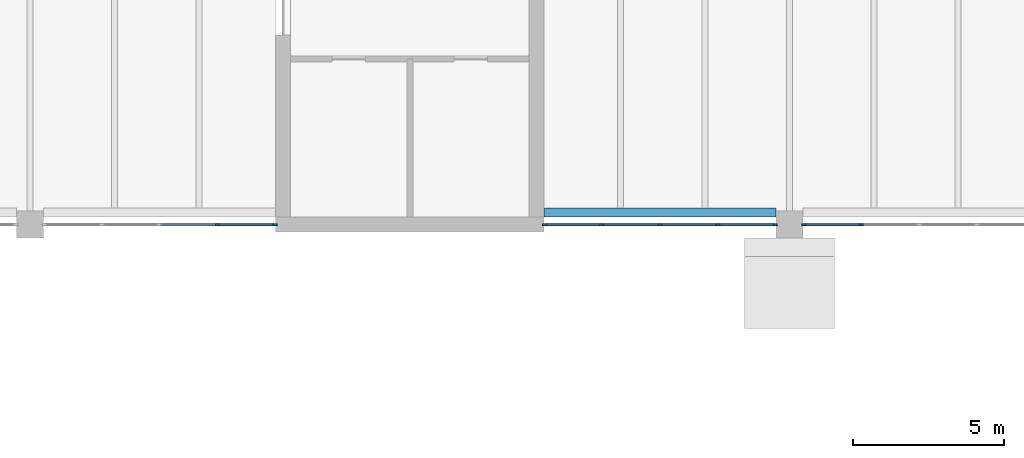
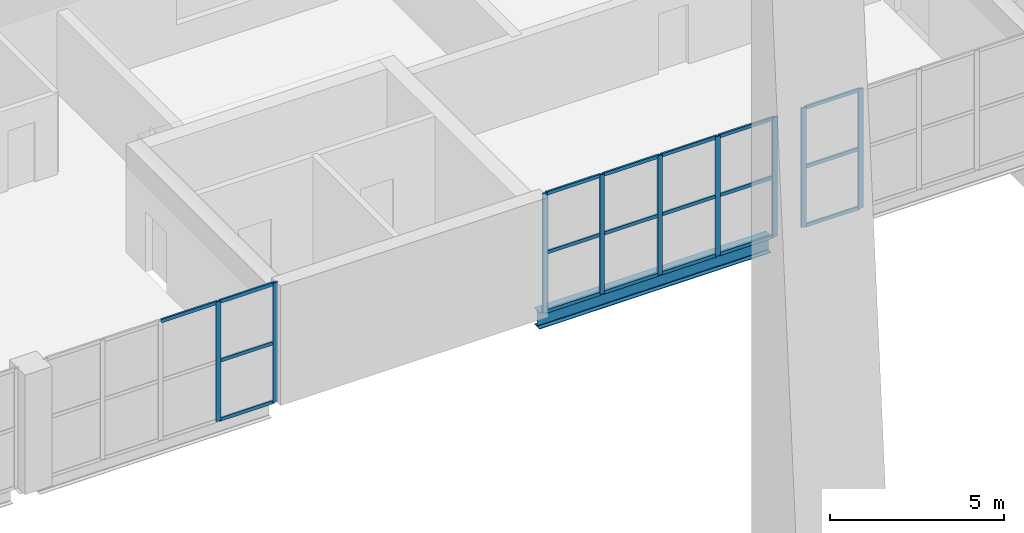
# One storey, part 33 of 88: 28 members, 1 beam, 3 elements without a shape of their own.
"""IFC4 building model written with IfcOpenShell, lengths in metres."""

from ifc_helpers import new_model, si_unit, direction, frame, origin, origin_2d, place, context, subcontext, project, spatial, rectangle, i_section, extrude, material, layer, layer_set, material_profile, profile_set, type_object, element, aggregate, save


model = new_model("IFC4")

# Units and contexts
model_context = context("Model", 3, precision=1e-05, world=origin(), true_north=direction((0.0, 1.0)))
body_context = subcontext(model_context, "Body", "Model", "MODEL_VIEW")
ifc_project = project(units=[si_unit("LENGTHUNIT", "METRE"), si_unit("AREAUNIT", "SQUARE_METRE"), si_unit("VOLUMEUNIT", "CUBIC_METRE"), si_unit("PLANEANGLEUNIT", "RADIAN"), si_unit("MASSUNIT", "GRAM", prefix="KILO")], contexts=[model_context])

# Site, building, storey
site_placement = place(None, origin())
site = spatial("IfcSite", under=ifc_project, at=site_placement, CompositionType="ELEMENT")
building_placement = place(site_placement, origin())
building = spatial("IfcBuilding", under=site, at=building_placement, Name="Cresset Court Congress Hotel", CompositionType="ELEMENT")
storey_placement = place(building_placement, frame((0.0, 0.0, 14.39990234375)))
storey = spatial("IfcBuildingStorey", under=building, at=storey_placement, Name="L03", CompositionType="ELEMENT", Elevation=14.39990234375)

# Curtain wall, members
ifc_material_1 = material(Name="Aluminium and glass", Category="aluminium")
ifc_layer = layer(ifc_material_1, 0.199951171875)
ifc_layer_set = layer_set([ifc_layer], Name="Foyer curtain wall 1925 module")
curtain_wall_type = type_object("IfcCurtainWallType", Name="Foyer curtain wall 1925 module", PredefinedType="NOTDEFINED", material=ifc_layer_set)
curtain_wall_1_placement = place(storey_placement, origin())
curtain_wall_1 = element("IfcCurtainWall", 1, at=curtain_wall_1_placement, inside=storey, type_object=curtain_wall_type, Name="Curtain wall CX-032", PredefinedType="NOTDEFINED")
ifc_material_2 = material(Name="Anodised aluminium", Category="aluminium")
ifc_material_profile_1 = material_profile(ifc_material_2, rectangle(XDim=0.06005859375, YDim=0.159912109375, at=origin_2d()), Name="AL60x160")
ifc_profile_set_1 = profile_set([ifc_material_profile_1], Name="Anodised aluminium")
member_type_1 = type_object("IfcMemberType", Name="Curtain wall mullion 60x160", PredefinedType="MULLION", material=ifc_profile_set_1)
member_1_placement = place(storey_placement, frame((81.824951171875, 58.800048828125, 0.0), z_axis=(0.0, 0.0, 1.0), x_axis=(0.0, 1.0, 0.0)))
member_1 = element("IfcMember", 2, at=member_1_placement, type_object=member_type_1, Name="C-X1 mullion 4", PredefinedType="MULLION", context=body_context, shape_type="SweptSolid", body=[
    extrude(rectangle(XDim=0.06005859375, YDim=0.159912109375, at=origin_2d()), origin(), (0.0, 0.0, 1.0), 4.2001953125),
])
member_2_placement = place(storey_placement, frame((83.719970703125, 58.800048828125, 0.0), z_axis=(0.0, 0.0, 1.0), x_axis=(0.0, 1.0, 0.0)))
member_2 = element("IfcMember", 3, at=member_2_placement, type_object=member_type_1, Name="C-X1 mullion 5", PredefinedType="MULLION", context=body_context, shape_type="SweptSolid", body=[
    extrude(rectangle(XDim=0.06005859375, YDim=0.159912109375, at=origin_2d()), origin(), (0.0, 0.0, 1.0), 4.2001953125),
])

curtain_wall_2_placement = place(storey_placement, origin())
curtain_wall_2 = element("IfcCurtainWall", 4, at=curtain_wall_2_placement, inside=storey, type_object=curtain_wall_type, Name="Curtain wall CX-033", PredefinedType="NOTDEFINED")
member_3_placement = place(storey_placement, frame((92.679931640625, 58.800048828125, 0.0), z_axis=(0.0, 0.0, 1.0), x_axis=(0.0, 1.0, 0.0)))
member_3 = element("IfcMember", 5, at=member_3_placement, type_object=member_type_1, Name="C-X1 mullion 1", PredefinedType="MULLION", context=body_context, shape_type="SweptSolid", body=[
    extrude(rectangle(XDim=0.06005859375, YDim=0.159912109375, at=origin_2d()), origin(), (0.0, 0.0, 1.0), 4.2001953125),
])
member_4_placement = place(storey_placement, frame((94.574951171875, 58.800048828125, 0.0), z_axis=(0.0, 0.0, 1.0), x_axis=(0.0, 1.0, 0.0)))
member_4 = element("IfcMember", 6, at=member_4_placement, type_object=member_type_1, Name="C-X1 mullion 2", PredefinedType="MULLION", context=body_context, shape_type="SweptSolid", body=[
    extrude(rectangle(XDim=0.06005859375, YDim=0.159912109375, at=origin_2d()), origin(), (0.0, 0.0, 1.0), 4.2001953125),
])
member_5_placement = place(storey_placement, frame((96.5, 58.800048828125, 0.0), z_axis=(0.0, 0.0, 1.0), x_axis=(0.0, 1.0, 0.0)))
member_5 = element("IfcMember", 7, at=member_5_placement, type_object=member_type_1, Name="C-X1 mullion 3", PredefinedType="MULLION", context=body_context, shape_type="SweptSolid", body=[
    extrude(rectangle(XDim=0.06005859375, YDim=0.159912109375, at=origin_2d()), origin(), (0.0, 0.0, 1.0), 4.2001953125),
])
member_6_placement = place(storey_placement, frame((98.425048828125, 58.800048828125, 0.0), z_axis=(0.0, 0.0, 1.0), x_axis=(0.0, 1.0, 0.0)))
member_6 = element("IfcMember", 8, at=member_6_placement, type_object=member_type_1, Name="C-X1 mullion 4", PredefinedType="MULLION", context=body_context, shape_type="SweptSolid", body=[
    extrude(rectangle(XDim=0.06005859375, YDim=0.159912109375, at=origin_2d()), origin(), (0.0, 0.0, 1.0), 4.2001953125),
])
member_7_placement = place(storey_placement, frame((100.320068359375, 58.800048828125, 0.0), z_axis=(0.0, 0.0, 1.0), x_axis=(0.0, 1.0, 0.0)))
member_7 = element("IfcMember", 9, at=member_7_placement, type_object=member_type_1, Name="C-X1 mullion 5", PredefinedType="MULLION", context=body_context, shape_type="SweptSolid", body=[
    extrude(rectangle(XDim=0.06005859375, YDim=0.159912109375, at=origin_2d()), origin(), (0.0, 0.0, 1.0), 4.2001953125),
])

curtain_wall_3_placement = place(storey_placement, origin())
curtain_wall_3 = element("IfcCurtainWall", 10, at=curtain_wall_3_placement, inside=storey, type_object=curtain_wall_type, Name="Curtain wall CX-034", PredefinedType="NOTDEFINED")
member_8_placement = place(storey_placement, frame((101.280029296875, 58.800048828125, 0.0), z_axis=(0.0, 0.0, 1.0), x_axis=(0.0, 1.0, 0.0)))
member_8 = element("IfcMember", 11, at=member_8_placement, type_object=member_type_1, Name="C-X1 mullion 1", PredefinedType="MULLION", context=body_context, shape_type="SweptSolid", body=[
    extrude(rectangle(XDim=0.06005859375, YDim=0.159912109375, at=origin_2d()), origin(), (0.0, 0.0, 1.0), 4.2001953125),
])
member_9_placement = place(storey_placement, frame((103.175048828125, 58.800048828125, 0.0), z_axis=(0.0, 0.0, 1.0), x_axis=(0.0, 1.0, 0.0)))
member_9 = element("IfcMember", 12, at=member_9_placement, type_object=member_type_1, Name="C-X1 mullion 2", PredefinedType="MULLION", context=body_context, shape_type="SweptSolid", body=[
    extrude(rectangle(XDim=0.06005859375, YDim=0.159912109375, at=origin_2d()), origin(), (0.0, 0.0, 1.0), 4.2001953125),
])

# Member
ifc_material_3 = material(Name="Anodised aluminium", Category="aluminium")
ifc_material_profile_2 = material_profile(ifc_material_3, rectangle(XDim=0.06005859375, YDim=0.1201171875, at=origin_2d()), Name="AL60x120")
ifc_profile_set_2 = profile_set([ifc_material_profile_2], Name="Anodised aluminium")
member_type_2 = type_object("IfcMemberType", Name="Curtain wall transom 60x120", PredefinedType="USERDEFINED", material=ifc_profile_set_2)
member_10_placement = place(storey_placement, frame((79.929931640625, 58.800048828125, 4.170166015625), z_axis=(1.0, 0.0, 0.0), x_axis=(0.0, 1.0, 0.0)))
member_10 = element("IfcMember", 13, at=member_10_placement, type_object=member_type_2, Name="C-X1 transom 3.3", ObjectType="TRANSOM", PredefinedType="USERDEFINED", context=body_context, shape_type="SweptSolid", body=[
    extrude(rectangle(XDim=0.06005859375, YDim=0.1201171875, at=origin_2d()), origin(), (0.0, 0.0, 1.0), 1.864990234375),
])

member_11_placement = place(storey_placement, frame((81.85498046875, 58.800048828125, 0.030029296875), z_axis=(1.0, 0.0, 0.0), x_axis=(0.0, 1.0, 0.0)))
member_11 = element("IfcMember", 14, at=member_11_placement, type_object=member_type_2, Name="C-X1 transom 4.1", ObjectType="TRANSOM", PredefinedType="USERDEFINED", context=body_context, shape_type="SweptSolid", body=[
    extrude(rectangle(XDim=0.06005859375, YDim=0.1201171875, at=origin_2d()), origin(), (0.0, 0.0, 1.0), 1.8349609375),
])

member_12_placement = place(storey_placement, frame((81.85498046875, 58.800048828125, 2.10009765625), z_axis=(1.0, 0.0, 0.0), x_axis=(0.0, 1.0, 0.0)))
member_12 = element("IfcMember", 15, at=member_12_placement, type_object=member_type_2, Name="C-X1 transom 4.2", ObjectType="TRANSOM", PredefinedType="USERDEFINED", context=body_context, shape_type="SweptSolid", body=[
    extrude(rectangle(XDim=0.06005859375, YDim=0.1201171875, at=origin_2d()), origin(), (0.0, 0.0, 1.0), 1.8349609375),
])

member_13_placement = place(storey_placement, frame((81.85498046875, 58.800048828125, 4.170166015625), z_axis=(1.0, 0.0, 0.0), x_axis=(0.0, 1.0, 0.0)))
member_13 = element("IfcMember", 16, at=member_13_placement, type_object=member_type_2, Name="C-X1 transom 4.3", ObjectType="TRANSOM", PredefinedType="USERDEFINED", context=body_context, shape_type="SweptSolid", body=[
    extrude(rectangle(XDim=0.06005859375, YDim=0.1201171875, at=origin_2d()), origin(), (0.0, 0.0, 1.0), 1.8349609375),
])

aggregate(curtain_wall_1, [member_1, member_2, member_10, member_11, member_12, member_13])

member_14_placement = place(storey_placement, frame((92.7099609375, 58.800048828125, 0.030029296875), z_axis=(1.0, 0.0, 0.0), x_axis=(0.0, 1.0, 0.0)))
member_14 = element("IfcMember", 17, at=member_14_placement, type_object=member_type_2, Name="C-X1 transom 1.1", ObjectType="TRANSOM", PredefinedType="USERDEFINED", context=body_context, shape_type="SweptSolid", body=[
    extrude(rectangle(XDim=0.06005859375, YDim=0.1201171875, at=origin_2d()), origin(), (0.0, 0.0, 1.0), 1.8349609375),
])

member_15_placement = place(storey_placement, frame((92.7099609375, 58.800048828125, 2.10009765625), z_axis=(1.0, 0.0, 0.0), x_axis=(0.0, 1.0, 0.0)))
member_15 = element("IfcMember", 18, at=member_15_placement, type_object=member_type_2, Name="C-X1 transom 1.2", ObjectType="TRANSOM", PredefinedType="USERDEFINED", context=body_context, shape_type="SweptSolid", body=[
    extrude(rectangle(XDim=0.06005859375, YDim=0.1201171875, at=origin_2d()), origin(), (0.0, 0.0, 1.0), 1.8349609375),
])

member_16_placement = place(storey_placement, frame((92.7099609375, 58.800048828125, 4.170166015625), z_axis=(1.0, 0.0, 0.0), x_axis=(0.0, 1.0, 0.0)))
member_16 = element("IfcMember", 19, at=member_16_placement, type_object=member_type_2, Name="C-X1 transom 1.3", ObjectType="TRANSOM", PredefinedType="USERDEFINED", context=body_context, shape_type="SweptSolid", body=[
    extrude(rectangle(XDim=0.06005859375, YDim=0.1201171875, at=origin_2d()), origin(), (0.0, 0.0, 1.0), 1.8349609375),
])

member_17_placement = place(storey_placement, frame((94.60498046875, 58.800048828125, 0.030029296875), z_axis=(1.0, 0.0, 0.0), x_axis=(0.0, 1.0, 0.0)))
member_17 = element("IfcMember", 20, at=member_17_placement, type_object=member_type_2, Name="C-X1 transom 2.1", ObjectType="TRANSOM", PredefinedType="USERDEFINED", context=body_context, shape_type="SweptSolid", body=[
    extrude(rectangle(XDim=0.06005859375, YDim=0.1201171875, at=origin_2d()), origin(), (0.0, 0.0, 1.0), 1.864990234375),
])

member_18_placement = place(storey_placement, frame((94.60498046875, 58.800048828125, 2.10009765625), z_axis=(1.0, 0.0, 0.0), x_axis=(0.0, 1.0, 0.0)))
member_18 = element("IfcMember", 21, at=member_18_placement, type_object=member_type_2, Name="C-X1 transom 2.2", ObjectType="TRANSOM", PredefinedType="USERDEFINED", context=body_context, shape_type="SweptSolid", body=[
    extrude(rectangle(XDim=0.06005859375, YDim=0.1201171875, at=origin_2d()), origin(), (0.0, 0.0, 1.0), 1.864990234375),
])

member_19_placement = place(storey_placement, frame((94.60498046875, 58.800048828125, 4.170166015625), z_axis=(1.0, 0.0, 0.0), x_axis=(0.0, 1.0, 0.0)))
member_19 = element("IfcMember", 22, at=member_19_placement, type_object=member_type_2, Name="C-X1 transom 2.3", ObjectType="TRANSOM", PredefinedType="USERDEFINED", context=body_context, shape_type="SweptSolid", body=[
    extrude(rectangle(XDim=0.06005859375, YDim=0.1201171875, at=origin_2d()), origin(), (0.0, 0.0, 1.0), 1.864990234375),
])

member_20_placement = place(storey_placement, frame((96.530029296875, 58.800048828125, 0.030029296875), z_axis=(1.0, 0.0, 0.0), x_axis=(0.0, 1.0, 0.0)))
member_20 = element("IfcMember", 23, at=member_20_placement, type_object=member_type_2, Name="C-X1 transom 3.1", ObjectType="TRANSOM", PredefinedType="USERDEFINED", context=body_context, shape_type="SweptSolid", body=[
    extrude(rectangle(XDim=0.06005859375, YDim=0.1201171875, at=origin_2d()), origin(), (0.0, 0.0, 1.0), 1.864990234375),
])

member_21_placement = place(storey_placement, frame((96.530029296875, 58.800048828125, 2.10009765625), z_axis=(1.0, 0.0, 0.0), x_axis=(0.0, 1.0, 0.0)))
member_21 = element("IfcMember", 24, at=member_21_placement, type_object=member_type_2, Name="C-X1 transom 3.2", ObjectType="TRANSOM", PredefinedType="USERDEFINED", context=body_context, shape_type="SweptSolid", body=[
    extrude(rectangle(XDim=0.06005859375, YDim=0.1201171875, at=origin_2d()), origin(), (0.0, 0.0, 1.0), 1.864990234375),
])

member_22_placement = place(storey_placement, frame((96.530029296875, 58.800048828125, 4.170166015625), z_axis=(1.0, 0.0, 0.0), x_axis=(0.0, 1.0, 0.0)))
member_22 = element("IfcMember", 25, at=member_22_placement, type_object=member_type_2, Name="C-X1 transom 3.3", ObjectType="TRANSOM", PredefinedType="USERDEFINED", context=body_context, shape_type="SweptSolid", body=[
    extrude(rectangle(XDim=0.06005859375, YDim=0.1201171875, at=origin_2d()), origin(), (0.0, 0.0, 1.0), 1.864990234375),
])

member_23_placement = place(storey_placement, frame((98.455078125, 58.800048828125, 0.030029296875), z_axis=(1.0, 0.0, 0.0), x_axis=(0.0, 1.0, 0.0)))
member_23 = element("IfcMember", 26, at=member_23_placement, type_object=member_type_2, Name="C-X1 transom 4.1", ObjectType="TRANSOM", PredefinedType="USERDEFINED", context=body_context, shape_type="SweptSolid", body=[
    extrude(rectangle(XDim=0.06005859375, YDim=0.1201171875, at=origin_2d()), origin(), (0.0, 0.0, 1.0), 1.8349609375),
])

member_24_placement = place(storey_placement, frame((98.455078125, 58.800048828125, 2.10009765625), z_axis=(1.0, 0.0, 0.0), x_axis=(0.0, 1.0, 0.0)))
member_24 = element("IfcMember", 27, at=member_24_placement, type_object=member_type_2, Name="C-X1 transom 4.2", ObjectType="TRANSOM", PredefinedType="USERDEFINED", context=body_context, shape_type="SweptSolid", body=[
    extrude(rectangle(XDim=0.06005859375, YDim=0.1201171875, at=origin_2d()), origin(), (0.0, 0.0, 1.0), 1.8349609375),
])

member_25_placement = place(storey_placement, frame((98.455078125, 58.800048828125, 4.170166015625), z_axis=(1.0, 0.0, 0.0), x_axis=(0.0, 1.0, 0.0)))
member_25 = element("IfcMember", 28, at=member_25_placement, type_object=member_type_2, Name="C-X1 transom 4.3", ObjectType="TRANSOM", PredefinedType="USERDEFINED", context=body_context, shape_type="SweptSolid", body=[
    extrude(rectangle(XDim=0.06005859375, YDim=0.1201171875, at=origin_2d()), origin(), (0.0, 0.0, 1.0), 1.8349609375),
])

aggregate(curtain_wall_2, [member_3, member_4, member_5, member_6, member_7, member_14, member_15, member_16, member_17, member_18, member_19, member_20, member_21, member_22, member_23, member_24, member_25])

member_26_placement = place(storey_placement, frame((101.31005859375, 58.800048828125, 0.030029296875), z_axis=(1.0, 0.0, 0.0), x_axis=(0.0, 1.0, 0.0)))
member_26 = element("IfcMember", 29, at=member_26_placement, type_object=member_type_2, Name="C-X1 transom 1.1", ObjectType="TRANSOM", PredefinedType="USERDEFINED", context=body_context, shape_type="SweptSolid", body=[
    extrude(rectangle(XDim=0.06005859375, YDim=0.1201171875, at=origin_2d()), origin(), (0.0, 0.0, 1.0), 1.8349609375),
])

member_27_placement = place(storey_placement, frame((101.31005859375, 58.800048828125, 2.10009765625), z_axis=(1.0, 0.0, 0.0), x_axis=(0.0, 1.0, 0.0)))
member_27 = element("IfcMember", 30, at=member_27_placement, type_object=member_type_2, Name="C-X1 transom 1.2", ObjectType="TRANSOM", PredefinedType="USERDEFINED", context=body_context, shape_type="SweptSolid", body=[
    extrude(rectangle(XDim=0.06005859375, YDim=0.1201171875, at=origin_2d()), origin(), (0.0, 0.0, 1.0), 1.8349609375),
])

member_28_placement = place(storey_placement, frame((101.31005859375, 58.800048828125, 4.170166015625), z_axis=(1.0, 0.0, 0.0), x_axis=(0.0, 1.0, 0.0)))
member_28 = element("IfcMember", 31, at=member_28_placement, type_object=member_type_2, Name="C-X1 transom 1.3", ObjectType="TRANSOM", PredefinedType="USERDEFINED", context=body_context, shape_type="SweptSolid", body=[
    extrude(rectangle(XDim=0.06005859375, YDim=0.1201171875, at=origin_2d()), origin(), (0.0, 0.0, 1.0), 1.8349609375),
])

aggregate(curtain_wall_3, [member_8, member_9, member_26, member_27, member_28])

# Beam
ifc_material_4 = material(Name="Structural steel Q355B", Category="steel")
ifc_material_profile_3 = material_profile(ifc_material_4, i_section(OverallWidth=0.300048828125, OverallDepth=0.587890625, WebThickness=0.011962890625, FlangeThickness=0.02001953125, FilletRadius=0.028076171875, at=origin_2d()), Name="HM588x300x12x20")
ifc_profile_set_3 = profile_set([ifc_material_profile_3], Name="Structural steel Q355B")
beam_type = type_object("IfcBeamType", Name="Steel HM588x300x12x20 girder", PredefinedType="BEAM", material=ifc_profile_set_3)
beam_placement = place(storey_placement, frame((92.64990234375, 59.199951171875, -0.44384765625), z_axis=(1.0, 0.0, 0.0), x_axis=(0.0, 1.0, 0.0)))
element("IfcBeam", 32, at=beam_placement, inside=storey, type_object=beam_type, Name="Girder CG-F037", PredefinedType="BEAM", context=body_context, shape_type="SweptSolid", body=[
    extrude(i_section(OverallWidth=0.300048828125, OverallDepth=0.587890625, WebThickness=0.011962890625, FlangeThickness=0.02001953125, FilletRadius=0.028076171875, at=origin_2d()), origin(), (0.0, 0.0, 1.0), 7.7001953125),
])

save(model, "model.ifc")
